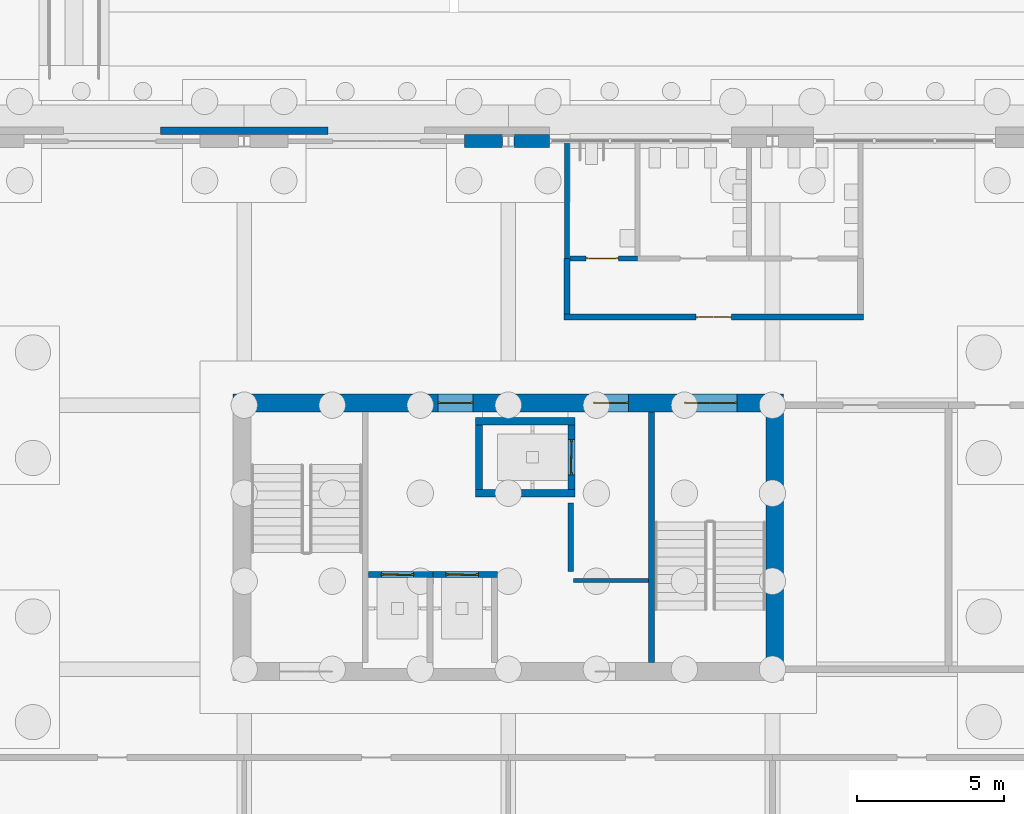
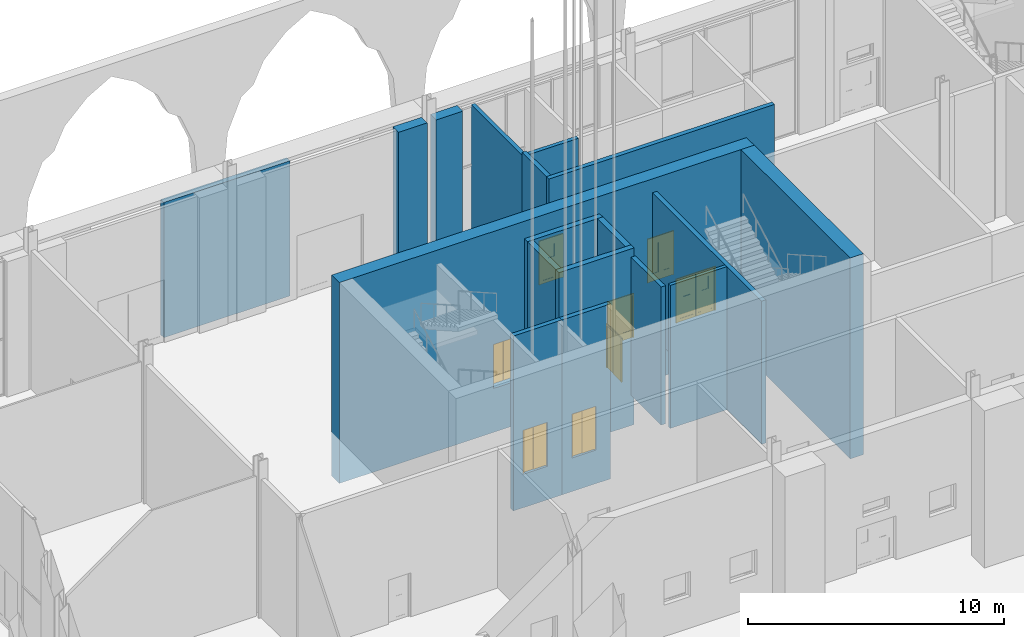
# One storey, part 135 of 250: 18 walls, 8 doors, 8 openings.
"""IFC4 building model written with IfcOpenShell, lengths in metres."""

from ifc_helpers import new_model, si_unit, direction, frame, frame_2d, origin, place, context, subcontext, project, spatial, polyline, rectangle, outline, extrude, material, layer, layer_set, type_object, element, fill, save


model = new_model("IFC4")

# Units and contexts
model_context = context("Model", 3, precision=1e-05, world=origin(), true_north=direction((0.0, 1.0)))
body_context = subcontext(model_context, "Body", "Model", "MODEL_VIEW")
ifc_project = project(units=[si_unit("LENGTHUNIT", "METRE"), si_unit("AREAUNIT", "SQUARE_METRE"), si_unit("VOLUMEUNIT", "CUBIC_METRE"), si_unit("PLANEANGLEUNIT", "RADIAN"), si_unit("MASSUNIT", "GRAM", prefix="KILO")], contexts=[model_context])

# Site, building, storey
site_placement = place(None, origin())
site = spatial("IfcSite", under=ifc_project, at=site_placement, CompositionType="ELEMENT")
building_placement = place(site_placement, origin())
building = spatial("IfcBuilding", under=site, at=building_placement, Name="Baradari Gate Terminus", CompositionType="ELEMENT")
storey_placement = place(building_placement, origin())
storey = spatial("IfcBuildingStorey", under=building, at=storey_placement, Name="L00", CompositionType="ELEMENT", Elevation=0.0)

# Walls
ifc_material_1 = material(Name="Concrete C32/40", Category="concrete")
ifc_layer_1 = layer(ifc_material_1, 0.25)
ifc_layer_set_1 = layer_set([ifc_layer_1], Name="Concrete C32/40")
wall_type_1 = type_object("IfcWallType", Name="Firefighting lift shaft wall SH-2 250 EI 120", PredefinedType="SOLIDWALL", material=ifc_layer_set_1)
for number, where, z_axis, x_axis, name in (
    (1, (34.875, 132.0, -1.60009765625), (0.0, 0.0, 1.0), (1.0, 0.0, 0.0), "Lift shaft wall LT3 L00 S"),
    (2, (34.875, 134.449951171875, -1.60009765625), (0.0, 0.0, 1.0), (1.0, 0.0, 0.0), "Lift shaft wall LT3 L00 N"),
):
    element("IfcWall", number, at=place(storey_placement, frame(where, z_axis=z_axis, x_axis=x_axis)), inside=storey, type_object=wall_type_1, Name=name, PredefinedType="SOLIDWALL", context=body_context, shape_type="SweptSolid", body=[
        extrude(rectangle(XDim=3.39990234375, YDim=0.25, at=frame_2d((1.699951171875, 0.0))), origin(), (0.0, 0.0, 1.0), 8.43603515625),
    ])
wall_1_placement = place(storey_placement, frame((35.0, 132.125, -1.60009765625), z_axis=(0.0, 0.0, 1.0), x_axis=(0.0, 1.0, 0.0)))
element("IfcWall", 3, at=wall_1_placement, inside=storey, type_object=wall_type_1, Name="Lift shaft wall LT3 L00 W", PredefinedType="SOLIDWALL", context=body_context, shape_type="SweptSolid", body=[
    extrude(rectangle(XDim=2.199951171875, YDim=0.25, at=frame_2d((1.10009765625, 0.0))), origin(), (0.0, 0.0, 1.0), 8.43603515625),
])

# Wall, opening, door
wall_2_placement = place(storey_placement, frame((38.14990234375, 132.125, -1.60009765625), z_axis=(0.0, 0.0, 1.0), x_axis=(0.0, 1.0, 0.0)))
wall_2 = element("IfcWall", 4, at=wall_2_placement, inside=storey, type_object=wall_type_1, Name="Lift shaft wall LT3 L00 E", PredefinedType="SOLIDWALL", context=body_context, shape_type="SweptSolid", body=[
    extrude(rectangle(XDim=2.199951171875, YDim=0.25, at=frame_2d((1.10009765625, 0.0))), origin(), (0.0, 0.0, 1.0), 8.43603515625),
])
opening_1_placement = place(wall_2_placement, frame((0.5, 0.0, 1.60009765625)))
opening_1 = element("IfcOpeningElement", 5, at=opening_1_placement, cuts=wall_2, Name="Opening D00-083", PredefinedType="OPENING", context=body_context, shape_type="SweptSolid", body=[
    extrude(rectangle(XDim=1.199951171875, YDim=2.10009765625, at=frame_2d((0.60009765625, 1.050048828125))), frame((0.0, 0.135009765625, 0.0), z_axis=(0.0, -1.0, 0.0), x_axis=(1.0, 0.0, 0.0)), (0.0, 0.0, 1.0), 0.27001953125),
])
ifc_material_2 = material(Name="Stainless steel 1.4301", Category="steel")
door_type_1 = type_object("IfcDoorType", Name="Lift landing door LD2 1200x2100 E 120", OperationType="SLIDING_TO_LEFT", PredefinedType="DOOR", material=ifc_material_2)
door_1_placement = place(opening_1_placement, origin())
door_1 = element("IfcDoor", 6, at=door_1_placement, inside=storey, type_object=door_type_1, Name="Lift landing door LT3 L00", OperationType="SLIDING_TO_LEFT", OverallHeight=2.1, OverallWidth=1.2, PredefinedType="DOOR", context=body_context, shape_type="SweptSolid", body=[
    extrude(outline(polyline([(0.0, 0.0), (0.070068359375, 0.0), (0.070068359375, 2.030029296875), (1.1298828125, 2.030029296875), (1.1298828125, 0.0), (1.199951171875, 0.0), (1.199951171875, 2.10009765625), (0.0, 2.10009765625), (0.0, 0.0)])), frame((0.0, 0.02490234375, 0.0), z_axis=(0.0, -1.0, 0.0), x_axis=(1.0, 0.0, 0.0)), (0.0, 0.0, 1.0), 0.050048828125),
    extrude(rectangle(XDim=0.57861328125, YDim=2.01611328125, at=frame_2d((0.36328125, 1.01806640625))), frame((0.0, 0.017822265625, 0.0), z_axis=(0.0, -1.0, 0.0), x_axis=(1.0, 0.0, 0.0)), (0.0, 0.0, 1.0), 0.015869140625),
    extrude(rectangle(XDim=0.57470703125, YDim=2.01611328125, at=frame_2d((0.838623046875, 1.01806640625))), frame((0.0, -0.002197265625, 0.0), z_axis=(0.0, -1.0, 0.0), x_axis=(1.0, 0.0, 0.0)), (0.0, 0.0, 1.0), 0.015869140625),
])
fill(opening_1, door_1)

# Walls
ifc_material_3 = material(Name="Laterite masonry", Category="masonry")
ifc_layer_2 = layer(ifc_material_3, 0.449951171875)
ifc_layer_set_2 = layer_set([ifc_layer_2], Name="Laterite masonry")
wall_type_2 = type_object("IfcWallType", Name="Laterite masonry pier WC-1 450", PredefinedType="SOLIDWALL", material=ifc_layer_set_2)
wall_3_placement = place(storey_placement, frame((34.5, 144.0, 0.0), z_axis=(0.0, 0.0, 1.0), x_axis=(1.0, 0.0, 0.0)))
element("IfcWall", 7, at=wall_3_placement, inside=storey, type_object=wall_type_2, Name="Stone-clad pier TN bay 3 L00", PredefinedType="SOLIDWALL", context=body_context, shape_type="SweptSolid", body=[
    extrude(rectangle(XDim=1.300537109375, YDim=0.449951171875, at=frame_2d((0.650390625, 0.0))), origin(), (0.0, 0.0, 1.0), 6.459716796875),
])
wall_4_placement = place(storey_placement, frame((36.199462890625, 144.0, 0.0), z_axis=(0.0, 0.0, 1.0), x_axis=(1.0, 0.0, 0.0)))
element("IfcWall", 8, at=wall_4_placement, inside=storey, type_object=wall_type_2, Name="Stone-clad pier TN bay 5 L00", PredefinedType="SOLIDWALL", context=body_context, shape_type="SweptSolid", body=[
    extrude(rectangle(XDim=1.199951171875, YDim=0.449951171875, at=frame_2d((0.60009765625, 0.0))), origin(), (0.0, 0.0, 1.0), 6.459716796875),
])
ifc_material_4 = material(Name="Laterite masonry", Category="masonry")
ifc_layer_3 = layer(ifc_material_4, 0.25)
ifc_layer_set_3 = layer_set([ifc_layer_3], Name="Laterite masonry")
wall_type_3 = type_object("IfcWallType", Name="Laterite masonry wall WP-1 250", PredefinedType="SOLIDWALL", material=ifc_layer_set_3)
wall_5_placement = place(storey_placement, frame((24.14990234375, 144.35009765625, 0.0), z_axis=(0.0, 0.0, 1.0), x_axis=(1.0, 0.0, 0.0)))
element("IfcWall", 9, at=wall_5_placement, inside=storey, type_object=wall_type_3, Name="Operations block base front course 3", PredefinedType="SOLIDWALL", context=body_context, shape_type="SweptSolid", body=[
    extrude(outline(polyline([(5.699951171875, 0.0), (5.699951171875, 6.459716796875), (0.0, 6.459716796875), (0.0, 0.0), (5.699951171875, 0.0)])), frame((0.0, 0.125, 0.0), z_axis=(0.0, -1.0, 0.0), x_axis=(1.0, 0.0, 0.0)), (0.0, 0.0, 1.0), 0.25),
])

# Wall, opening, door
ifc_material_5 = material(Name="Blockwork wall, fire rated", Category="masonry")
ifc_layer_4 = layer(ifc_material_5, 0.199951171875)
ifc_layer_set_4 = layer_set([ifc_layer_4], Name="Blockwork wall, fire rated")
wall_type_4 = type_object("IfcWallType", Name="Lift shaft wall SH-1 200 EI 120", PredefinedType="SOLIDWALL", material=ifc_layer_set_4)
wall_6_placement = place(storey_placement, frame((31.22705078125, 129.22509765625, -1.60009765625), z_axis=(0.0, 0.0, 1.0), x_axis=(1.0, 0.0, 0.0)))
wall_6 = element("IfcWall", 10, at=wall_6_placement, inside=storey, type_object=wall_type_4, Name="Lift shaft wall LT1 L00 N", PredefinedType="SOLIDWALL", context=body_context, shape_type="SweptSolid", body=[
    extrude(rectangle(XDim=2.197998046875, YDim=0.199951171875, at=frame_2d((1.09912109375, 0.0))), origin(), (0.0, 0.0, 1.0), 8.357177734375),
])
opening_2_placement = place(wall_6_placement, frame((0.447998046875, 0.0, 1.60009765625)))
opening_2 = element("IfcOpeningElement", 11, at=opening_2_placement, cuts=wall_6, Name="Opening D00-081", PredefinedType="OPENING", context=body_context, shape_type="SweptSolid", body=[
    extrude(rectangle(XDim=1.10009765625, YDim=2.10009765625, at=frame_2d((0.550048828125, 1.050048828125))), frame((0.0, 0.10986328125, 0.0), z_axis=(0.0, -1.0, 0.0), x_axis=(1.0, 0.0, 0.0)), (0.0, 0.0, 1.0), 0.219970703125),
])
ifc_material_6 = material(Name="Stainless steel 1.4301", Category="steel")
door_type_2 = type_object("IfcDoorType", Name="Lift landing door LD 1100x2100 E 120", OperationType="SLIDING_TO_LEFT", PredefinedType="DOOR", material=ifc_material_6)
door_2_placement = place(opening_2_placement, origin())
door_2 = element("IfcDoor", 12, at=door_2_placement, inside=storey, type_object=door_type_2, Name="Lift landing door LT1 L00", OperationType="SLIDING_TO_LEFT", OverallHeight=2.1, OverallWidth=1.1, PredefinedType="DOOR", context=body_context, shape_type="SweptSolid", body=[
    extrude(outline(polyline([(0.0, 0.0), (0.070068359375, 0.0), (0.070068359375, 2.030029296875), (1.030029296875, 2.030029296875), (1.030029296875, 0.0), (1.10009765625, 0.0), (1.10009765625, 2.10009765625), (0.0, 2.10009765625), (0.0, 0.0)])), frame((0.0, 0.02490234375, 0.0), z_axis=(0.0, -1.0, 0.0), x_axis=(1.0, 0.0, 0.0)), (0.0, 0.0, 1.0), 0.050048828125),
    extrude(rectangle(XDim=0.523681640625, YDim=2.01611328125, at=frame_2d((0.3359375, 1.01806640625))), frame((0.0, 0.017822265625, 0.0), z_axis=(0.0, -1.0, 0.0), x_axis=(1.0, 0.0, 0.0)), (0.0, 0.0, 1.0), 0.015869140625),
    extrude(rectangle(XDim=0.519775390625, YDim=2.01611328125, at=frame_2d((0.76611328125, 1.01806640625))), frame((0.0, -0.002197265625, 0.0), z_axis=(0.0, -1.0, 0.0), x_axis=(1.0, 0.0, 0.0)), (0.0, 0.0, 1.0), 0.015869140625),
])
fill(opening_2, door_2)

wall_7_placement = place(storey_placement, frame((33.427001953125, 129.22509765625, -1.60009765625), z_axis=(0.0, 0.0, 1.0), x_axis=(1.0, 0.0, 0.0)))
wall_7 = element("IfcWall", 13, at=wall_7_placement, inside=storey, type_object=wall_type_4, Name="Lift shaft wall LT2 L00 N", PredefinedType="SOLIDWALL", context=body_context, shape_type="SweptSolid", body=[
    extrude(rectangle(XDim=2.197998046875, YDim=0.199951171875, at=frame_2d((1.09912109375, 0.0))), origin(), (0.0, 0.0, 1.0), 8.357177734375),
])
opening_3_placement = place(wall_7_placement, frame((0.447998046875, 0.0, 1.60009765625)))
opening_3 = element("IfcOpeningElement", 14, at=opening_3_placement, cuts=wall_7, Name="Opening D00-082", PredefinedType="OPENING", context=body_context, shape_type="SweptSolid", body=[
    extrude(rectangle(XDim=1.10009765625, YDim=2.10009765625, at=frame_2d((0.550048828125, 1.050048828125))), frame((0.0, 0.10986328125, 0.0), z_axis=(0.0, -1.0, 0.0), x_axis=(1.0, 0.0, 0.0)), (0.0, 0.0, 1.0), 0.219970703125),
])
door_3_placement = place(opening_3_placement, origin())
door_3 = element("IfcDoor", 15, at=door_3_placement, inside=storey, type_object=door_type_2, Name="Lift landing door LT2 L00", OperationType="SLIDING_TO_LEFT", OverallHeight=2.1, OverallWidth=1.1, PredefinedType="DOOR", context=body_context, shape_type="SweptSolid", body=[
    extrude(outline(polyline([(0.0, 0.0), (0.070068359375, 0.0), (0.070068359375, 2.030029296875), (1.030029296875, 2.030029296875), (1.030029296875, 0.0), (1.10009765625, 0.0), (1.10009765625, 2.10009765625), (0.0, 2.10009765625), (0.0, 0.0)])), frame((0.0, 0.02490234375, 0.0), z_axis=(0.0, -1.0, 0.0), x_axis=(1.0, 0.0, 0.0)), (0.0, 0.0, 1.0), 0.050048828125),
    extrude(rectangle(XDim=0.523681640625, YDim=2.01611328125, at=frame_2d((0.3359375, 1.01806640625))), frame((0.0, 0.017822265625, 0.0), z_axis=(0.0, -1.0, 0.0), x_axis=(1.0, 0.0, 0.0)), (0.0, 0.0, 1.0), 0.015869140625),
    extrude(rectangle(XDim=0.519775390625, YDim=2.01611328125, at=frame_2d((0.76611328125, 1.01806640625))), frame((0.0, -0.002197265625, 0.0), z_axis=(0.0, -1.0, 0.0), x_axis=(1.0, 0.0, 0.0)), (0.0, 0.0, 1.0), 0.015869140625),
])
fill(opening_3, door_3)

# Wall
ifc_material_7 = material(Name="Blockwork wall, plastered, fire rated", Category="masonry")
ifc_layer_5 = layer(ifc_material_7, 0.199951171875)
ifc_layer_set_5 = layer_set([ifc_layer_5], Name="Blockwork wall, plastered, fire rated")
wall_type_5 = type_object("IfcWallType", Name="Lobby partition PT-4 200 EI 60", PredefinedType="PARTITIONING", material=ifc_layer_set_5)
wall_8_placement = place(storey_placement, frame((38.0, 140.0, 0.0), z_axis=(0.0, 0.0, 1.0), x_axis=(0.0, -1.0, 0.0)))
element("IfcWall", 16, at=wall_8_placement, inside=storey, type_object=wall_type_5, Name="PT-4 partition Staff and Visitor Lobby / WC Lobby", PredefinedType="PARTITIONING", context=body_context, shape_type="SweptSolid", body=[
    extrude(rectangle(XDim=1.89990234375, YDim=0.199951171875, at=frame_2d((0.949951171875, 0.0))), origin(), (0.0, 0.0, 1.0), 6.60009765625),
])

# Wall, opening, door
wall_9_placement = place(storey_placement, frame((37.89990234375, 138.0, 0.0), z_axis=(0.0, 0.0, 1.0), x_axis=(1.0, 0.0, 0.0)))
wall_9 = element("IfcWall", 17, at=wall_9_placement, inside=storey, type_object=wall_type_5, Name="PT-4 partition Staff and Visitor Lobby / WC Lobby", PredefinedType="PARTITIONING", context=body_context, shape_type="SweptSolid", body=[
    extrude(rectangle(XDim=10.2001953125, YDim=0.199951171875, at=frame_2d((5.10009765625, 0.0))), origin(), (0.0, 0.0, 1.0), 6.60009765625),
])
opening_4_placement = place(wall_9_placement, frame((4.5, 0.0, 0.0)))
opening_4 = element("IfcOpeningElement", 18, at=opening_4_placement, cuts=wall_9, Name="Opening D00-090", PredefinedType="OPENING", context=body_context, shape_type="SweptSolid", body=[
    extrude(rectangle(XDim=1.199951171875, YDim=2.10009765625, at=frame_2d((0.60009765625, 1.050048828125))), frame((0.0, 0.10986328125, 0.0), z_axis=(0.0, -1.0, 0.0), x_axis=(1.0, 0.0, 0.0)), (0.0, 0.0, 1.0), 0.219970703125),
])
ifc_material_8 = material(Name="Steel S275", Category="steel")
door_type_3 = type_object("IfcDoorType", Name="Fire door FI-1200-FD60S 1200x2100 FD60S", OperationType="DOUBLE_DOOR_SINGLE_SWING", PredefinedType="DOOR", material=ifc_material_8)
door_4_placement = place(opening_4_placement, origin())
door_4 = element("IfcDoor", 19, at=door_4_placement, inside=storey, type_object=door_type_3, Name="Door WC Lobby", OperationType="DOUBLE_DOOR_SINGLE_SWING", OverallHeight=2.1, OverallWidth=1.2, PredefinedType="DOOR", context=body_context, shape_type="SweptSolid", body=[
    extrude(outline(polyline([(0.0, 0.0), (0.070068359375, 0.0), (0.070068359375, 2.030029296875), (1.1298828125, 2.030029296875), (1.1298828125, 0.0), (1.199951171875, 0.0), (1.199951171875, 2.10009765625), (0.0, 2.10009765625), (0.0, 0.0)])), frame((0.0, 0.02490234375, 0.0), z_axis=(0.0, -1.0, 0.0), x_axis=(1.0, 0.0, 0.0)), (0.0, 0.0, 1.0), 0.050048828125),
    extrude(outline(polyline([(0.073974609375, 0.010009765625), (0.596923828125, 0.010009765625), (0.596923828125, 2.026123046875), (0.073974609375, 2.026123046875), (0.073974609375, 0.010009765625)]), holes=[polyline([(0.178466796875, 0.372802734375), (0.492431640625, 0.372802734375), (0.492431640625, 1.7841796875), (0.178466796875, 1.7841796875), (0.178466796875, 0.372802734375)])]), frame((0.0, 0.017333984375, 0.0), z_axis=(0.0, -1.0, 0.0), x_axis=(1.0, 0.0, 0.0)), (0.0, 0.0, 1.0), 0.034912109375),
    extrude(rectangle(XDim=0.31396484375, YDim=1.411376953125, at=frame_2d((0.33544921875, 1.07861328125))), frame((0.0, 0.008544921875, 0.0), z_axis=(0.0, -1.0, 0.0), x_axis=(1.0, 0.0, 0.0)), (0.0, 0.0, 1.0), 0.017333984375),
    extrude(outline(polyline([(0.60302734375, 0.010009765625), (1.1259765625, 0.010009765625), (1.1259765625, 2.026123046875), (0.60302734375, 2.026123046875), (0.60302734375, 0.010009765625)]), holes=[polyline([(0.70751953125, 0.372802734375), (1.021484375, 0.372802734375), (1.021484375, 1.7841796875), (0.70751953125, 1.7841796875), (0.70751953125, 0.372802734375)])]), frame((0.0, 0.017333984375, 0.0), z_axis=(0.0, -1.0, 0.0), x_axis=(1.0, 0.0, 0.0)), (0.0, 0.0, 1.0), 0.034912109375),
    extrude(rectangle(XDim=0.31396484375, YDim=1.411376953125, at=frame_2d((0.864501953125, 1.07861328125))), frame((0.0, 0.008544921875, 0.0), z_axis=(0.0, -1.0, 0.0), x_axis=(1.0, 0.0, 0.0)), (0.0, 0.0, 1.0), 0.017333984375),
])
fill(opening_4, door_4)

# Wall
wall_10_placement = place(storey_placement, frame((38.125, 131.675048828125, 0.0), z_axis=(0.0, 0.0, 1.0), x_axis=(0.0, -1.0, 0.0)))
element("IfcWall", 20, at=wall_10_placement, inside=storey, type_object=wall_type_5, Name="PT-4 partition Lift Lobby / Lift Lobby (Fire-fighting)", PredefinedType="PARTITIONING", context=body_context, shape_type="SweptSolid", body=[
    extrude(rectangle(XDim=2.35009765625, YDim=0.199951171875, at=frame_2d((1.175048828125, 0.0))), origin(), (0.0, 0.0, 1.0), 6.60009765625),
])

# Wall, openings, doors
ifc_material_9 = material(Name="Concrete C40/50", Category="concrete")
ifc_layer_6 = layer(ifc_material_9, 0.60009765625)
ifc_layer_set_6 = layer_set([ifc_layer_6], Name="Concrete C40/50")
wall_type_6 = type_object("IfcWallType", Name="Operations block core wall CWL01 600", PredefinedType="SOLIDWALL", material=ifc_layer_set_6)
wall_11_placement = place(storey_placement, frame((26.625, 135.074951171875, -2.10009765625), z_axis=(0.0, 0.0, 1.0), x_axis=(1.0, 0.0, 0.0)))
wall_11 = element("IfcWall", 21, at=wall_11_placement, inside=storey, type_object=wall_type_6, Name="Operations block core wall CT N L00", PredefinedType="SOLIDWALL", context=body_context, shape_type="SweptSolid", body=[
    extrude(rectangle(XDim=18.75, YDim=0.60009765625, at=frame_2d((9.375, 0.0))), origin(), (0.0, 0.0, 1.0), 9.60009765625),
])
opening_5_placement = place(wall_11_placement, frame((15.375, 0.0, 2.10009765625)))
opening_5 = element("IfcOpeningElement", 22, at=opening_5_placement, cuts=wall_11, Name="Opening D00-085", PredefinedType="OPENING", context=body_context, shape_type="SweptSolid", body=[
    extrude(rectangle(XDim=1.800048828125, YDim=2.10009765625, at=frame_2d((0.89990234375, 1.050048828125))), frame((0.0, 0.31005859375, 0.0), z_axis=(0.0, -1.0, 0.0), x_axis=(1.0, 0.0, 0.0)), (0.0, 0.0, 1.0), 0.6201171875),
])
opening_6_placement = place(wall_11_placement, frame((6.97509765625, 0.0, 2.10009765625)))
opening_6 = element("IfcOpeningElement", 23, at=opening_6_placement, cuts=wall_11, Name="Opening D00-086", PredefinedType="OPENING", context=body_context, shape_type="SweptSolid", body=[
    extrude(rectangle(XDim=1.199951171875, YDim=2.10009765625, at=frame_2d((0.60009765625, 1.050048828125))), frame((0.0, 0.31005859375, 0.0), z_axis=(0.0, -1.0, 0.0), x_axis=(1.0, 0.0, 0.0)), (0.0, 0.0, 1.0), 0.6201171875),
])
opening_7_placement = place(wall_11_placement, frame((12.27490234375, 0.0, 2.10009765625)))
opening_7 = element("IfcOpeningElement", 24, at=opening_7_placement, cuts=wall_11, Name="Opening D00-087", PredefinedType="OPENING", context=body_context, shape_type="SweptSolid", body=[
    extrude(rectangle(XDim=1.199951171875, YDim=2.10009765625, at=frame_2d((0.60009765625, 1.050048828125))), frame((0.0, 0.31005859375, 0.0), z_axis=(0.0, -1.0, 0.0), x_axis=(1.0, 0.0, 0.0)), (0.0, 0.0, 1.0), 0.6201171875),
])
ifc_material_10 = material(Name="Steel S275", Category="steel")
door_type_4 = type_object("IfcDoorType", Name="Fire door FI-1200-FD90S 1200x2100 FD90S", OperationType="DOUBLE_DOOR_SINGLE_SWING", PredefinedType="DOOR", material=ifc_material_10)
door_5_placement = place(opening_6_placement, frame((1.199951171875, 0.0, 0.0), z_axis=(0.0, 0.0, 1.0), x_axis=(-1.0, 0.0, 0.0)))
door_5 = element("IfcDoor", 25, at=door_5_placement, inside=storey, type_object=door_type_4, Name="Door Lift Lobby", OperationType="DOUBLE_DOOR_SINGLE_SWING", OverallHeight=2.1, OverallWidth=1.2, PredefinedType="DOOR", context=body_context, shape_type="SweptSolid", body=[
    extrude(outline(polyline([(0.0, 0.0), (0.070068359375, 0.0), (0.070068359375, 2.030029296875), (1.1298828125, 2.030029296875), (1.1298828125, 0.0), (1.199951171875, 0.0), (1.199951171875, 2.10009765625), (0.0, 2.10009765625), (0.0, 0.0)])), frame((0.0, 0.02490234375, 0.0), z_axis=(0.0, -1.0, 0.0), x_axis=(1.0, 0.0, 0.0)), (0.0, 0.0, 1.0), 0.050048828125),
    extrude(outline(polyline([(0.073974609375, 0.010009765625), (0.596923828125, 0.010009765625), (0.596923828125, 2.026123046875), (0.073974609375, 2.026123046875), (0.073974609375, 0.010009765625)]), holes=[polyline([(0.178466796875, 0.372802734375), (0.492431640625, 0.372802734375), (0.492431640625, 1.7841796875), (0.178466796875, 1.7841796875), (0.178466796875, 0.372802734375)])]), frame((0.0, 0.017333984375, 0.0), z_axis=(0.0, -1.0, 0.0), x_axis=(1.0, 0.0, 0.0)), (0.0, 0.0, 1.0), 0.034912109375),
    extrude(rectangle(XDim=0.31396484375, YDim=1.411376953125, at=frame_2d((0.33544921875, 1.07861328125))), frame((0.0, 0.008544921875, 0.0), z_axis=(0.0, -1.0, 0.0), x_axis=(1.0, 0.0, 0.0)), (0.0, 0.0, 1.0), 0.017333984375),
    extrude(outline(polyline([(0.60302734375, 0.010009765625), (1.1259765625, 0.010009765625), (1.1259765625, 2.026123046875), (0.60302734375, 2.026123046875), (0.60302734375, 0.010009765625)]), holes=[polyline([(0.70751953125, 0.372802734375), (1.021484375, 0.372802734375), (1.021484375, 1.7841796875), (0.70751953125, 1.7841796875), (0.70751953125, 0.372802734375)])]), frame((0.0, 0.017333984375, 0.0), z_axis=(0.0, -1.0, 0.0), x_axis=(1.0, 0.0, 0.0)), (0.0, 0.0, 1.0), 0.034912109375),
    extrude(rectangle(XDim=0.31396484375, YDim=1.411376953125, at=frame_2d((0.864501953125, 1.07861328125))), frame((0.0, 0.008544921875, 0.0), z_axis=(0.0, -1.0, 0.0), x_axis=(1.0, 0.0, 0.0)), (0.0, 0.0, 1.0), 0.017333984375),
])
fill(opening_6, door_5)
door_6_placement = place(opening_7_placement, frame((1.199951171875, 0.0, 0.0), z_axis=(0.0, 0.0, 1.0), x_axis=(-1.0, 0.0, 0.0)))
door_6 = element("IfcDoor", 26, at=door_6_placement, inside=storey, type_object=door_type_4, Name="Door Lift Lobby (Fire-fighting)", OperationType="DOUBLE_DOOR_SINGLE_SWING", OverallHeight=2.1, OverallWidth=1.2, PredefinedType="DOOR", context=body_context, shape_type="SweptSolid", body=[
    extrude(outline(polyline([(0.0, 0.0), (0.070068359375, 0.0), (0.070068359375, 2.030029296875), (1.1298828125, 2.030029296875), (1.1298828125, 0.0), (1.199951171875, 0.0), (1.199951171875, 2.10009765625), (0.0, 2.10009765625), (0.0, 0.0)])), frame((0.0, 0.02490234375, 0.0), z_axis=(0.0, -1.0, 0.0), x_axis=(1.0, 0.0, 0.0)), (0.0, 0.0, 1.0), 0.050048828125),
    extrude(outline(polyline([(0.073974609375, 0.010009765625), (0.596923828125, 0.010009765625), (0.596923828125, 2.026123046875), (0.073974609375, 2.026123046875), (0.073974609375, 0.010009765625)]), holes=[polyline([(0.178466796875, 0.372802734375), (0.492431640625, 0.372802734375), (0.492431640625, 1.7841796875), (0.178466796875, 1.7841796875), (0.178466796875, 0.372802734375)])]), frame((0.0, 0.017333984375, 0.0), z_axis=(0.0, -1.0, 0.0), x_axis=(1.0, 0.0, 0.0)), (0.0, 0.0, 1.0), 0.034912109375),
    extrude(rectangle(XDim=0.31396484375, YDim=1.411376953125, at=frame_2d((0.33544921875, 1.07861328125))), frame((0.0, 0.008544921875, 0.0), z_axis=(0.0, -1.0, 0.0), x_axis=(1.0, 0.0, 0.0)), (0.0, 0.0, 1.0), 0.017333984375),
    extrude(outline(polyline([(0.60302734375, 0.010009765625), (1.1259765625, 0.010009765625), (1.1259765625, 2.026123046875), (0.60302734375, 2.026123046875), (0.60302734375, 0.010009765625)]), holes=[polyline([(0.70751953125, 0.372802734375), (1.021484375, 0.372802734375), (1.021484375, 1.7841796875), (0.70751953125, 1.7841796875), (0.70751953125, 0.372802734375)])]), frame((0.0, 0.017333984375, 0.0), z_axis=(0.0, -1.0, 0.0), x_axis=(1.0, 0.0, 0.0)), (0.0, 0.0, 1.0), 0.034912109375),
    extrude(rectangle(XDim=0.31396484375, YDim=1.411376953125, at=frame_2d((0.864501953125, 1.07861328125))), frame((0.0, 0.008544921875, 0.0), z_axis=(0.0, -1.0, 0.0), x_axis=(1.0, 0.0, 0.0)), (0.0, 0.0, 1.0), 0.017333984375),
])
fill(opening_7, door_6)
ifc_material_11 = material(Name="Steel S275", Category="steel")
door_type_5 = type_object("IfcDoorType", Name="Fire door FI-1800-FD90S 1800x2100 FD90S", OperationType="DOUBLE_DOOR_SINGLE_SWING", PredefinedType="DOOR", material=ifc_material_11)
door_7_placement = place(opening_5_placement, frame((1.800048828125, 0.0, 0.0), z_axis=(0.0, 0.0, 1.0), x_axis=(-1.0, 0.0, 0.0)))
door_7 = element("IfcDoor", 27, at=door_7_placement, inside=storey, type_object=door_type_5, Name="Door Stair (Core) 2", OperationType="DOUBLE_DOOR_SINGLE_SWING", OverallHeight=2.1, OverallWidth=1.8, PredefinedType="DOOR", context=body_context, shape_type="SweptSolid", body=[
    extrude(outline(polyline([(0.0, 0.0), (0.070068359375, 0.0), (0.070068359375, 2.030029296875), (1.72998046875, 2.030029296875), (1.72998046875, 0.0), (1.800048828125, 0.0), (1.800048828125, 2.10009765625), (0.0, 2.10009765625), (0.0, 0.0)])), frame((0.0, 0.02490234375, 0.0), z_axis=(0.0, -1.0, 0.0), x_axis=(1.0, 0.0, 0.0)), (0.0, 0.0, 1.0), 0.050048828125),
    extrude(outline(polyline([(0.073974609375, 0.010009765625), (0.89697265625, 0.010009765625), (0.89697265625, 2.026123046875), (0.073974609375, 2.026123046875), (0.073974609375, 0.010009765625)]), holes=[polyline([(0.194091796875, 0.159912109375), (0.77685546875, 0.159912109375), (0.77685546875, 1.010009765625), (0.194091796875, 1.010009765625), (0.194091796875, 0.159912109375)]), polyline([(0.33544921875, 1.159912109375), (0.635498046875, 1.159912109375), (0.635498046875, 1.760009765625), (0.33544921875, 1.760009765625), (0.33544921875, 1.159912109375)])]), frame((0.0, 0.017333984375, 0.0), z_axis=(0.0, -1.0, 0.0), x_axis=(1.0, 0.0, 0.0)), (0.0, 0.0, 1.0), 0.034912109375),
    extrude(rectangle(XDim=0.582763671875, YDim=0.85009765625, at=frame_2d((0.4853515625, 0.5849609375))), frame((0.0, 0.008544921875, 0.0), z_axis=(0.0, -1.0, 0.0), x_axis=(1.0, 0.0, 0.0)), (0.0, 0.0, 1.0), 0.017333984375),
    extrude(rectangle(XDim=0.300048828125, YDim=0.60009765625, at=frame_2d((0.4853515625, 1.4599609375))), frame((0.0, 0.005859375, 0.0), z_axis=(0.0, -1.0, 0.0), x_axis=(1.0, 0.0, 0.0)), (0.0, 0.0, 1.0), 0.011962890625),
    extrude(outline(polyline([(0.903076171875, 0.010009765625), (1.72607421875, 0.010009765625), (1.72607421875, 2.026123046875), (0.903076171875, 2.026123046875), (0.903076171875, 0.010009765625)]), holes=[polyline([(1.023193359375, 0.159912109375), (1.60595703125, 0.159912109375), (1.60595703125, 1.010009765625), (1.023193359375, 1.010009765625), (1.023193359375, 0.159912109375)]), polyline([(1.16455078125, 1.159912109375), (1.464599609375, 1.159912109375), (1.464599609375, 1.760009765625), (1.16455078125, 1.760009765625), (1.16455078125, 1.159912109375)])]), frame((0.0, 0.017333984375, 0.0), z_axis=(0.0, -1.0, 0.0), x_axis=(1.0, 0.0, 0.0)), (0.0, 0.0, 1.0), 0.034912109375),
    extrude(rectangle(XDim=0.582763671875, YDim=0.85009765625, at=frame_2d((1.314453125, 0.5849609375))), frame((0.0, 0.008544921875, 0.0), z_axis=(0.0, -1.0, 0.0), x_axis=(1.0, 0.0, 0.0)), (0.0, 0.0, 1.0), 0.017333984375),
    extrude(rectangle(XDim=0.300048828125, YDim=0.60009765625, at=frame_2d((1.314453125, 1.4599609375))), frame((0.0, 0.005859375, 0.0), z_axis=(0.0, -1.0, 0.0), x_axis=(1.0, 0.0, 0.0)), (0.0, 0.0, 1.0), 0.011962890625),
])
fill(opening_5, door_7)

# Walls
wall_12_placement = place(storey_placement, frame((45.074951171875, 126.22509765625, -2.10009765625), z_axis=(0.0, 0.0, 1.0), x_axis=(0.0, 1.0, 0.0)))
element("IfcWall", 28, at=wall_12_placement, inside=storey, type_object=wall_type_6, Name="Operations block core wall CT E L00", PredefinedType="SOLIDWALL", context=body_context, shape_type="SweptSolid", body=[
    extrude(rectangle(XDim=8.5498046875, YDim=0.60009765625, at=frame_2d((4.27490234375, 0.0))), origin(), (0.0, 0.0, 1.0), 9.60009765625),
])
ifc_material_12 = material(Name="Blockwork wall, fire rated", Category="masonry")
ifc_layer_7 = layer(ifc_material_12, 0.14990234375)
ifc_layer_set_7 = layer_set([ifc_layer_7], Name="Blockwork wall, fire rated")
wall_type_7 = type_object("IfcWallType", Name="Riser wall RW-1 150 EI 120", PredefinedType="SOLIDWALL", material=ifc_layer_set_7)
wall_13_placement = place(storey_placement, frame((40.77294921875, 129.02490234375, 0.0), z_axis=(0.0, 0.0, 1.0), x_axis=(-1.0, 0.0, 0.0)))
element("IfcWall", 29, at=wall_13_placement, inside=storey, type_object=wall_type_7, Name="RW-1 partition Lift Lobby (Fire-fighting) / Riser", PredefinedType="SOLIDWALL", context=body_context, shape_type="SweptSolid", body=[
    extrude(rectangle(XDim=2.5478515625, YDim=0.14990234375, at=frame_2d((1.27392578125, 0.0))), origin(), (0.0, 0.0, 1.0), 6.8359375),
])
ifc_material_13 = material(Name="Concrete C40/50", Category="concrete")
ifc_layer_8 = layer(ifc_material_13, 0.199951171875)
ifc_layer_set_8 = layer_set([ifc_layer_8], Name="Concrete C40/50")
wall_type_8 = type_object("IfcWallType", Name="Stair enclosure wall SE-1 200 EI 120", PredefinedType="SOLIDWALL", material=ifc_layer_set_8)
wall_14_placement = place(storey_placement, frame((40.875, 126.22705078125, 0.0), z_axis=(0.0, 0.0, 1.0), x_axis=(0.0, 1.0, 0.0)))
element("IfcWall", 30, at=wall_14_placement, inside=storey, type_object=wall_type_8, Name="Stair enclosure wall SE-1 ST-T2 L00 W", PredefinedType="SOLIDWALL", context=body_context, shape_type="SweptSolid", body=[
    extrude(rectangle(XDim=8.5458984375, YDim=0.199951171875, at=frame_2d((4.27294921875, 0.0))), origin(), (0.0, 0.0, 1.0), 6.8359375),
])
ifc_material_14 = material(Name="Blockwork wall, tiled both faces", Category="masonry")
ifc_layer_9 = layer(ifc_material_14, 0.175048828125)
ifc_layer_set_9 = layer_set([ifc_layer_9], Name="Blockwork wall, tiled both faces")
wall_type_9 = type_object("IfcWallType", Name="WC wet wall PT-6 175 EI 60", PredefinedType="PARTITIONING", material=ifc_layer_set_9)
wall_15_placement = place(storey_placement, frame((38.0, 144.0, 0.0), z_axis=(0.0, 0.0, 1.0), x_axis=(0.0, -1.0, 0.0)))
element("IfcWall", 31, at=wall_15_placement, inside=storey, type_object=wall_type_9, Name="PT-6 partition Staff and Visitor Lobby / Accessible WC", PredefinedType="PARTITIONING", context=body_context, shape_type="SweptSolid", body=[
    extrude(rectangle(XDim=4.0, YDim=0.175048828125, at=frame_2d((2.0, 0.0))), origin(), (0.0, 0.0, 1.0), 6.458984375),
])

# Wall, opening, door
wall_16_placement = place(storey_placement, frame((38.10009765625, 140.0, 0.0), z_axis=(0.0, 0.0, 1.0), x_axis=(1.0, 0.0, 0.0)))
wall_16 = element("IfcWall", 32, at=wall_16_placement, inside=storey, type_object=wall_type_9, Name="PT-6 partition WC Lobby / Accessible WC", PredefinedType="PARTITIONING", context=body_context, shape_type="SweptSolid", body=[
    extrude(rectangle(XDim=2.2998046875, YDim=0.175048828125, at=frame_2d((1.14990234375, 0.0))), origin(), (0.0, 0.0, 1.0), 6.458984375),
])
opening_8_placement = place(wall_16_placement, frame((0.550048828125, 0.0, 0.0)))
opening_8 = element("IfcOpeningElement", 33, at=opening_8_placement, cuts=wall_16, Name="Opening D00-091", PredefinedType="OPENING", context=body_context, shape_type="SweptSolid", body=[
    extrude(rectangle(XDim=1.10009765625, YDim=2.10009765625, at=frame_2d((0.550048828125, 1.050048828125))), frame((0.0, 0.097412109375, 0.0), z_axis=(0.0, -1.0, 0.0), x_axis=(1.0, 0.0, 0.0)), (0.0, 0.0, 1.0), 0.195068359375),
])
ifc_material_15 = material(Name="Steel S275", Category="steel")
door_type_6 = type_object("IfcDoorType", Name="Fire door FI-1100-FD60S 1100x2100 FD60S", OperationType="SINGLE_SWING_LEFT", PredefinedType="DOOR", material=ifc_material_15)
door_8_placement = place(opening_8_placement, origin())
door_8 = element("IfcDoor", 34, at=door_8_placement, inside=storey, type_object=door_type_6, Name="Door Accessible WC", OperationType="SINGLE_SWING_LEFT", OverallHeight=2.1, OverallWidth=1.1, PredefinedType="DOOR", context=body_context, shape_type="SweptSolid", body=[
    extrude(outline(polyline([(0.0, 0.0), (0.070068359375, 0.0), (0.070068359375, 2.030029296875), (1.030029296875, 2.030029296875), (1.030029296875, 0.0), (1.10009765625, 0.0), (1.10009765625, 2.10009765625), (0.0, 2.10009765625), (0.0, 0.0)])), frame((0.0, 0.02490234375, 0.0), z_axis=(0.0, -1.0, 0.0), x_axis=(1.0, 0.0, 0.0)), (0.0, 0.0, 1.0), 0.050048828125),
    extrude(outline(polyline([(0.073974609375, 0.010009765625), (1.026123046875, 0.010009765625), (1.026123046875, 2.026123046875), (0.073974609375, 2.026123046875), (0.073974609375, 0.010009765625)]), holes=[polyline([(0.194091796875, 0.159912109375), (0.906005859375, 0.159912109375), (0.906005859375, 1.010009765625), (0.194091796875, 1.010009765625), (0.194091796875, 0.159912109375)]), polyline([(0.400146484375, 1.159912109375), (0.699951171875, 1.159912109375), (0.699951171875, 1.760009765625), (0.400146484375, 1.760009765625), (0.400146484375, 1.159912109375)])]), frame((0.0, 0.017333984375, 0.0), z_axis=(0.0, -1.0, 0.0), x_axis=(1.0, 0.0, 0.0)), (0.0, 0.0, 1.0), 0.034912109375),
    extrude(rectangle(XDim=0.7119140625, YDim=0.85009765625, at=frame_2d((0.550048828125, 0.5849609375))), frame((0.0, 0.008544921875, 0.0), z_axis=(0.0, -1.0, 0.0), x_axis=(1.0, 0.0, 0.0)), (0.0, 0.0, 1.0), 0.017333984375),
    extrude(rectangle(XDim=0.2998046875, YDim=0.60009765625, at=frame_2d((0.550048828125, 1.4599609375))), frame((0.0, 0.005859375, 0.0), z_axis=(0.0, -1.0, 0.0), x_axis=(1.0, 0.0, 0.0)), (0.0, 0.0, 1.0), 0.011962890625),
])
fill(opening_8, door_8)

save(model, "model.ifc")
